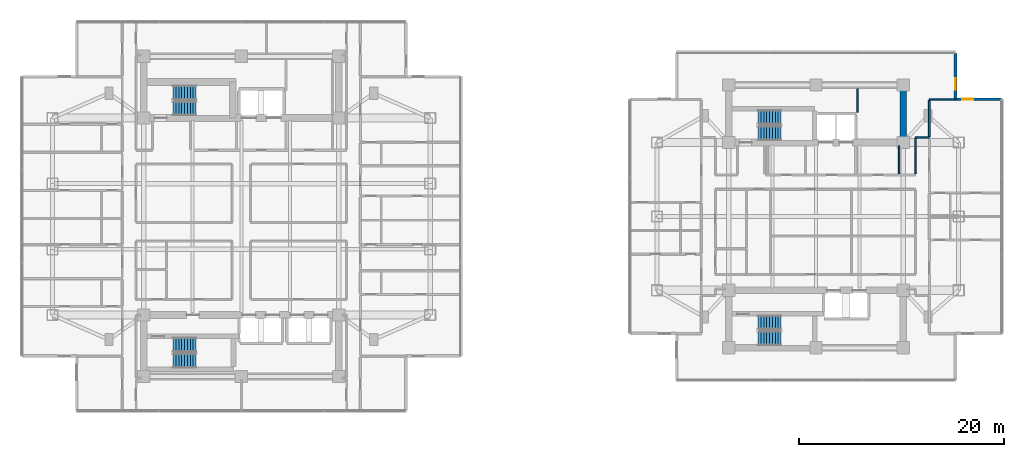
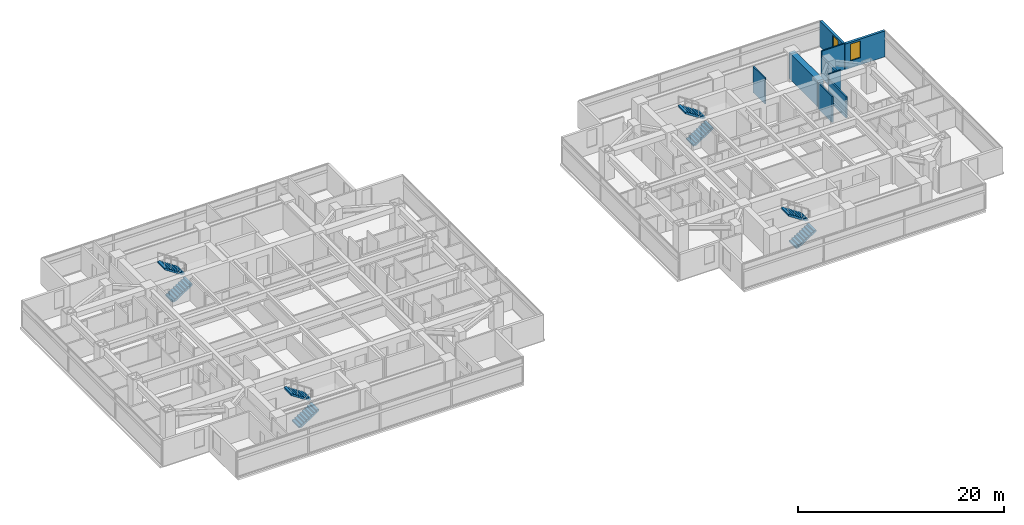
# One storey, part 18 of 24: 9 walls, 8 stair flights, 2 windows, 2 openings, 4 elements without a shape of their own.
"""IFC4 building model written with IfcOpenShell, lengths in metres."""

from ifc_helpers import new_model, si_unit, direction, frame, frame_2d, origin, place, context, subcontext, project, spatial, polyline, rectangle, outline, extrude, material, layer, layer_set, type_object, element, fill, aggregate, save


model = new_model("IFC4")

# Units and contexts
model_context = context("Model", 3, precision=1e-05, world=origin(), true_north=direction((0.0, 1.0)))
body_context = subcontext(model_context, "Body", "Model", "MODEL_VIEW")
ifc_project = project(units=[si_unit("LENGTHUNIT", "METRE"), si_unit("AREAUNIT", "SQUARE_METRE"), si_unit("VOLUMEUNIT", "CUBIC_METRE"), si_unit("PLANEANGLEUNIT", "RADIAN"), si_unit("MASSUNIT", "GRAM", prefix="KILO")], contexts=[model_context])

# Site, building, storey
site_placement = place(None, origin())
site = spatial("IfcSite", under=ifc_project, at=site_placement, CompositionType="ELEMENT")
building_placement = place(site_placement, origin())
building = spatial("IfcBuilding", under=site, at=building_placement, Name="Mirazonda Arch Towers", CompositionType="ELEMENT")
storey_placement = place(building_placement, frame((0.0, 0.0, 101.60009765625)))
storey = spatial("IfcBuildingStorey", under=building, at=storey_placement, Name="L28", CompositionType="ELEMENT", Elevation=101.60009765625)

# Wall
ifc_material_1 = material(Name="Concrete C60/75", Category="concrete")
ifc_layer_1 = layer(ifc_material_1, 0.64990234375, Name="WALL-CORE-650")
ifc_layer_set_1 = layer_set([ifc_layer_1], Name="Concrete C60/75")
wall_type_1 = type_object("IfcWallType", Name="WALL-CORE-650", PredefinedType="SHEAR", material=ifc_layer_set_1)
wall_1_placement = place(storey_placement, frame((85.0, 35.199951171875, 0.0), z_axis=(0.0, 0.0, 1.0), x_axis=(0.0, 1.0, 0.0)))
element("IfcWall", 1, at=wall_1_placement, inside=storey, type_object=wall_type_1, Name="L28 T2N-E Core Shear Wall", PredefinedType="SHEAR", context=body_context, shape_type="SweptSolid", body=[
    extrude(rectangle(XDim=5.60009765625, YDim=0.64990234375, at=frame_2d((2.800048828125, 0.0))), origin(), (0.0, 0.0, 1.0), 3.079833984375),
])

# Wall, opening, window
ifc_material_2 = material(Name="Precast Concrete C40/50", Category="concrete")
ifc_layer_2 = layer(ifc_material_2, 0.280029296875, Name="WALL-EXT-WALL-280")
ifc_layer_set_2 = layer_set([ifc_layer_2], Name="Precast Concrete C40/50")
wall_type_2 = type_object("IfcWallType", Name="WALL-EXT-WALL-280", PredefinedType="SOLIDWALL", material=ifc_layer_set_2)
wall_2_placement = place(storey_placement, frame((90.078125, 39.414306640625, 0.0), z_axis=(0.0, 0.0, 1.0), x_axis=(0.0, 1.0, 0.0)))
wall_2 = element("IfcWall", 2, at=wall_2_placement, inside=storey, type_object=wall_type_2, Name="L28 T2 Notched NE Corner Wall WL-L28-T2-CNE", PredefinedType="SOLIDWALL", context=body_context, shape_type="SweptSolid", body=[
    extrude(rectangle(XDim=4.516357421875, YDim=0.280029296875, at=frame_2d((2.25830078125, 0.0))), origin(), (0.0, 0.0, 1.0), 3.059814453125),
])
opening_1_placement = place(wall_2_placement, frame((0.949951171875, 0.0, 0.85009765625)))
opening_1 = element("IfcOpeningElement", 3, at=opening_1_placement, cuts=wall_2, Name="Opening WN-108", PredefinedType="OPENING", context=body_context, shape_type="SweptSolid", body=[
    extrude(rectangle(XDim=1.10009765625, YDim=2.0, at=frame_2d((0.550048828125, 1.0))), frame((0.0, 0.14990234375, 0.0), z_axis=(0.0, -1.0, 0.0), x_axis=(1.0, 0.0, 0.0)), (0.0, 0.0, 1.0), 0.300048828125),
])
ifc_material_3 = material(Name="Insulated Low-E Solar Glass", Category="glass")
window_type = type_object("IfcWindowType", Name="WIN-NOTCH-1100x2000", PartitioningType="SINGLE_PANEL", PredefinedType="WINDOW", material=ifc_material_3)
window_1_placement = place(opening_1_placement, origin())
window_1 = element("IfcWindow", 4, at=window_1_placement, inside=storey, type_object=window_type, Name="L28 Punched Facade Window WN-L28-T2-CNE", OverallHeight=2.0, OverallWidth=1.10009765625, PartitioningType="SINGLE_PANEL", PredefinedType="WINDOW", context=body_context, shape_type="SweptSolid", body=[
    extrude(rectangle(XDim=1.10009765625, YDim=2.0, at=frame_2d((0.550048828125, 1.0))), frame((0.0, 0.030029296875, 0.0), z_axis=(0.0, -1.0, 0.0), x_axis=(1.0, 0.0, 0.0)), (0.0, 0.0, 1.0), 0.06005859375),
])
fill(opening_1, window_1)

wall_3_placement = place(storey_placement, frame((94.594482421875, 39.414306640625, 0.0), z_axis=(0.0, 0.0, 1.0), x_axis=(-1.0, 0.0, 0.0)))
wall_3 = element("IfcWall", 5, at=wall_3_placement, inside=storey, type_object=wall_type_2, Name="L28 T2 Corner Notch Return Wall WL-L28-T2-CNE2", PredefinedType="SOLIDWALL", context=body_context, shape_type="SweptSolid", body=[
    extrude(rectangle(XDim=4.516357421875, YDim=0.280029296875, at=frame_2d((2.25830078125, 0.0))), origin(), (0.0, 0.0, 1.0), 3.059814453125),
])
opening_2_placement = place(wall_3_placement, frame((2.76611328125, 0.0, 0.85009765625)))
opening_2 = element("IfcOpeningElement", 6, at=opening_2_placement, cuts=wall_3, Name="Opening WN-108", PredefinedType="OPENING", context=body_context, shape_type="SweptSolid", body=[
    extrude(rectangle(XDim=1.10009765625, YDim=2.0, at=frame_2d((0.550048828125, 1.0))), frame((0.0, 0.14990234375, 0.0), z_axis=(0.0, -1.0, 0.0), x_axis=(1.0, 0.0, 0.0)), (0.0, 0.0, 1.0), 0.300048828125),
])
window_2_placement = place(opening_2_placement, origin())
window_2 = element("IfcWindow", 7, at=window_2_placement, inside=storey, type_object=window_type, Name="L28 Punched Facade Window WN-L28-T2-CNE2", OverallHeight=2.0, OverallWidth=1.10009765625, PartitioningType="SINGLE_PANEL", PredefinedType="WINDOW", context=body_context, shape_type="SweptSolid", body=[
    extrude(rectangle(XDim=1.10009765625, YDim=2.0, at=frame_2d((0.550048828125, 1.0))), frame((0.0, 0.030029296875, 0.0), z_axis=(0.0, -1.0, 0.0), x_axis=(1.0, 0.0, 0.0)), (0.0, 0.0, 1.0), 0.06005859375),
])
fill(opening_2, window_2)

# Walls
ifc_material_4 = material(Name="Fire-Rated Gypsum Stud Partition")
ifc_layer_3 = layer(ifc_material_4, 0.14990234375, Name="WALL-PART-CORR-150")
ifc_layer_set_3 = layer_set([ifc_layer_3], Name="Fire-Rated Gypsum Stud Partition")
wall_type_3 = type_object("IfcWallType", Name="WALL-PART-CORR-150", PredefinedType="PARTITIONING", material=ifc_layer_set_3)
wall_4_placement = place(storey_placement, frame((86.179931640625, 35.699951171875, 0.0), z_axis=(0.0, 0.0, 1.0), x_axis=(1.0, 0.0, 0.0)))
element("IfcWall", 8, at=wall_4_placement, inside=storey, type_object=wall_type_3, Name="L28 Interior Partition 056", PredefinedType="PARTITIONING", context=body_context, shape_type="SweptSolid", body=[
    extrude(rectangle(XDim=1.360107421875, YDim=0.14990234375, at=frame_2d((0.68017578125, 0.0))), origin(), (0.0, 0.0, 1.0), 3.079833984375),
])
wall_5_placement = place(storey_placement, frame((87.5400390625, 39.4140625, 0.0), z_axis=(0.0, 0.0, 1.0), x_axis=(1.0, 0.0, 0.0)))
element("IfcWall", 9, at=wall_5_placement, inside=storey, type_object=wall_type_3, Name="L28 Interior Partition 061", PredefinedType="PARTITIONING", context=body_context, shape_type="SweptSolid", body=[
    extrude(rectangle(XDim=2.51806640625, YDim=0.14990234375, at=frame_2d((1.259033203125, 0.0))), origin(), (0.0, 0.0, 1.0), 3.079833984375),
])
wall_6_placement = place(storey_placement, frame((80.52001953125, 38.135009765625, 0.0), z_axis=(0.0, 0.0, 1.0), x_axis=(0.0, 1.0, 0.0)))
element("IfcWall", 10, at=wall_6_placement, inside=storey, type_object=wall_type_3, Name="L28 Interior Partition 158", PredefinedType="PARTITIONING", context=body_context, shape_type="SweptSolid", body=[
    extrude(rectangle(XDim=2.31494140625, YDim=0.14990234375, at=frame_2d((1.157470703125, 0.0))), origin(), (0.0, 0.0, 1.0), 3.079833984375),
])
wall_7_placement = place(storey_placement, frame((84.60009765625, 32.169921875, 0.0), z_axis=(0.0, 0.0, 1.0), x_axis=(0.0, 1.0, 0.0)))
element("IfcWall", 11, at=wall_7_placement, inside=storey, type_object=wall_type_3, Name="L28 Interior Partition 160", PredefinedType="PARTITIONING", context=body_context, shape_type="SweptSolid", body=[
    extrude(rectangle(XDim=2.7099609375, YDim=0.14990234375, at=frame_2d((1.35498046875, 0.0))), origin(), (0.0, 0.0, 1.0), 3.079833984375),
])
wall_8_placement = place(storey_placement, frame((86.179931640625, 32.169921875, 0.0), z_axis=(0.0, 0.0, 1.0), x_axis=(0.0, 1.0, 0.0)))
element("IfcWall", 12, at=wall_8_placement, inside=storey, type_object=wall_type_3, Name="L28 Interior Partition 164", PredefinedType="PARTITIONING", context=body_context, shape_type="SweptSolid", body=[
    extrude(rectangle(XDim=3.445068359375, YDim=0.14990234375, at=frame_2d((1.72265625, 0.0))), origin(), (0.0, 0.0, 1.0), 2.471923828125),
])
ifc_material_5 = material(Name="Fire-Rated Gypsum Twin-Stud Assembly")
ifc_layer_4 = layer(ifc_material_5, 0.179931640625, Name="WALL-PART-DEMISE-180")
ifc_layer_set_4 = layer_set([ifc_layer_4], Name="Fire-Rated Gypsum Twin-Stud Assembly")
wall_type_4 = type_object("IfcWallType", Name="WALL-PART-DEMISE-180", PredefinedType="PARTITIONING", material=ifc_layer_set_4)
wall_9_placement = place(storey_placement, frame((87.5400390625, 35.784912109375, 0.0), z_axis=(0.0, 0.0, 1.0), x_axis=(0.0, 1.0, 0.0)))
element("IfcWall", 13, at=wall_9_placement, inside=storey, type_object=wall_type_4, Name="L28 Interior Partition 170", PredefinedType="PARTITIONING", context=body_context, shape_type="SweptSolid", body=[
    extrude(rectangle(XDim=3.544189453125, YDim=0.179931640625, at=frame_2d((1.77197265625, 0.0))), origin(), (0.0, 0.0, 1.0), 2.455810546875),
])

# Stair, stair flights
ifc_material_6 = material(Name="Concrete C40/50", Category="concrete")
stair_type = type_object("IfcStairType", Name="STAIR-CORE-1400", PredefinedType="HALF_TURN_STAIR", material=ifc_material_6)
stair_1_placement = place(storey_placement, origin())
stair_1 = element("IfcStair", 14, at=stair_1_placement, inside=storey, type_object=stair_type, Name="L28 Protected Exit Stair ST-T1N", PredefinedType="HALF_TURN_STAIR")
stair_flight_type = type_object("IfcStairFlightType", Name="FLIGHT-1400", PredefinedType="STRAIGHT", material=ifc_material_6)
stair_flight_1_placement = place(storey_placement, frame((13.85009765625, 38.52001953125, 0.0), z_axis=(0.0, 0.0, 1.0), x_axis=(1.0, 0.0, 0.0)))
stair_flight_1 = element("IfcStairFlight", 15, at=stair_flight_1_placement, type_object=stair_flight_type, Name="ST-T1N flight 1", NumberOfRisers=9, NumberOfTreads=8, PredefinedType="STRAIGHT", RiserHeight=0.183333333, TreadLength=0.28, context=body_context, shape_type="SweptSolid", body=[
    extrude(outline(polyline([(0.0, 0.0), (0.0, 0.183349609375), (0.280029296875, 0.183349609375), (0.280029296875, 0.36669921875), (0.56005859375, 0.36669921875), (0.56005859375, 0.550048828125), (0.840087890625, 0.550048828125), (0.840087890625, 0.7333984375), (1.1201171875, 0.7333984375), (1.1201171875, 0.916748046875), (1.39990234375, 0.916748046875), (1.39990234375, 1.10009765625), (1.679931640625, 1.10009765625), (1.679931640625, 1.283447265625), (1.9599609375, 1.283447265625), (1.9599609375, 1.466552734375), (2.239990234375, 1.466552734375), (2.239990234375, 1.64990234375), (2.239990234375, 1.275634765625), (0.2919921875, 0.0), (0.0, 0.0)])), frame((0.0, 0.699951171875, 0.0), z_axis=(0.0, -1.0, 0.0), x_axis=(1.0, 0.0, 0.0)), (0.0, 0.0, 1.0), 1.39990234375),
])
stair_flight_2_placement = place(storey_placement, frame((16.090087890625, 40.06005859375, 1.64990234375), z_axis=(0.0, 0.0, 1.0), x_axis=(-1.0, 0.0, 0.0)))
stair_flight_2 = element("IfcStairFlight", 16, at=stair_flight_2_placement, type_object=stair_flight_type, Name="ST-T1N flight 2", NumberOfRisers=9, NumberOfTreads=8, PredefinedType="STRAIGHT", RiserHeight=0.183333333, TreadLength=0.28, context=body_context, shape_type="SweptSolid", body=[
    extrude(outline(polyline([(0.0, 0.0), (0.0, 0.183349609375), (0.280029296875, 0.183349609375), (0.280029296875, 0.36669921875), (0.56005859375, 0.36669921875), (0.56005859375, 0.550048828125), (0.840087890625, 0.550048828125), (0.840087890625, 0.7333984375), (1.1201171875, 0.7333984375), (1.1201171875, 0.916748046875), (1.39990234375, 0.916748046875), (1.39990234375, 1.10009765625), (1.679931640625, 1.10009765625), (1.679931640625, 1.283447265625), (1.9599609375, 1.283447265625), (1.9599609375, 1.466552734375), (2.239990234375, 1.466552734375), (2.239990234375, 1.64990234375), (2.239990234375, 1.275634765625), (0.2919921875, 0.0), (0.0, 0.0)])), frame((0.0, 0.699951171875, 0.0), z_axis=(0.0, -1.0, 0.0), x_axis=(1.0, 0.0, 0.0)), (0.0, 0.0, 1.0), 1.39990234375),
])
aggregate(stair_1, [stair_flight_1, stair_flight_2])

stair_2_placement = place(storey_placement, origin())
stair_2 = element("IfcStair", 17, at=stair_2_placement, inside=storey, type_object=stair_type, Name="L28 Protected Exit Stair ST-T1S", PredefinedType="HALF_TURN_STAIR")
stair_flight_3_placement = place(storey_placement, frame((13.85009765625, 13.949951171875, 0.0), z_axis=(0.0, 0.0, 1.0), x_axis=(1.0, 0.0, 0.0)))
stair_flight_3 = element("IfcStairFlight", 18, at=stair_flight_3_placement, type_object=stair_flight_type, Name="ST-T1S flight 1", NumberOfRisers=9, NumberOfTreads=8, PredefinedType="STRAIGHT", RiserHeight=0.183333333, TreadLength=0.28, context=body_context, shape_type="SweptSolid", body=[
    extrude(outline(polyline([(0.0, 0.0), (0.0, 0.183349609375), (0.280029296875, 0.183349609375), (0.280029296875, 0.36669921875), (0.56005859375, 0.36669921875), (0.56005859375, 0.550048828125), (0.840087890625, 0.550048828125), (0.840087890625, 0.7333984375), (1.1201171875, 0.7333984375), (1.1201171875, 0.916748046875), (1.39990234375, 0.916748046875), (1.39990234375, 1.10009765625), (1.679931640625, 1.10009765625), (1.679931640625, 1.283447265625), (1.9599609375, 1.283447265625), (1.9599609375, 1.466552734375), (2.239990234375, 1.466552734375), (2.239990234375, 1.64990234375), (2.239990234375, 1.275634765625), (0.2919921875, 0.0), (0.0, 0.0)])), frame((0.0, 0.699951171875, 0.0), z_axis=(0.0, -1.0, 0.0), x_axis=(1.0, 0.0, 0.0)), (0.0, 0.0, 1.0), 1.39990234375),
])
stair_flight_4_placement = place(storey_placement, frame((16.090087890625, 15.489990234375, 1.64990234375), z_axis=(0.0, 0.0, 1.0), x_axis=(-1.0, 0.0, 0.0)))
stair_flight_4 = element("IfcStairFlight", 19, at=stair_flight_4_placement, type_object=stair_flight_type, Name="ST-T1S flight 2", NumberOfRisers=9, NumberOfTreads=8, PredefinedType="STRAIGHT", RiserHeight=0.183333333, TreadLength=0.28, context=body_context, shape_type="SweptSolid", body=[
    extrude(outline(polyline([(0.0, 0.0), (0.0, 0.183349609375), (0.280029296875, 0.183349609375), (0.280029296875, 0.36669921875), (0.56005859375, 0.36669921875), (0.56005859375, 0.550048828125), (0.840087890625, 0.550048828125), (0.840087890625, 0.7333984375), (1.1201171875, 0.7333984375), (1.1201171875, 0.916748046875), (1.39990234375, 0.916748046875), (1.39990234375, 1.10009765625), (1.679931640625, 1.10009765625), (1.679931640625, 1.283447265625), (1.9599609375, 1.283447265625), (1.9599609375, 1.466552734375), (2.239990234375, 1.466552734375), (2.239990234375, 1.64990234375), (2.239990234375, 1.275634765625), (0.2919921875, 0.0), (0.0, 0.0)])), frame((0.0, 0.699951171875, 0.0), z_axis=(0.0, -1.0, 0.0), x_axis=(1.0, 0.0, 0.0)), (0.0, 0.0, 1.0), 1.39990234375),
])
aggregate(stair_2, [stair_flight_3, stair_flight_4])

stair_3_placement = place(storey_placement, origin())
stair_3 = element("IfcStair", 20, at=stair_3_placement, inside=storey, type_object=stair_type, Name="L28 Protected Exit Stair ST-T2N", PredefinedType="HALF_TURN_STAIR")
stair_flight_5_placement = place(storey_placement, frame((70.85009765625, 36.1201171875, 0.0), z_axis=(0.0, 0.0, 1.0), x_axis=(1.0, 0.0, 0.0)))
stair_flight_5 = element("IfcStairFlight", 21, at=stair_flight_5_placement, type_object=stair_flight_type, Name="ST-T2N flight 1", NumberOfRisers=9, NumberOfTreads=8, PredefinedType="STRAIGHT", RiserHeight=0.183333333, TreadLength=0.28, context=body_context, shape_type="SweptSolid", body=[
    extrude(outline(polyline([(0.0, 0.0), (0.0, 0.183349609375), (0.280029296875, 0.183349609375), (0.280029296875, 0.36669921875), (0.56005859375, 0.36669921875), (0.56005859375, 0.550048828125), (0.840087890625, 0.550048828125), (0.840087890625, 0.7333984375), (1.1201171875, 0.7333984375), (1.1201171875, 0.916748046875), (1.39990234375, 0.916748046875), (1.39990234375, 1.10009765625), (1.679931640625, 1.10009765625), (1.679931640625, 1.283447265625), (1.9599609375, 1.283447265625), (1.9599609375, 1.466552734375), (2.239990234375, 1.466552734375), (2.239990234375, 1.64990234375), (2.239990234375, 1.275634765625), (0.2919921875, 0.0), (0.0, 0.0)])), frame((0.0, 0.699951171875, 0.0), z_axis=(0.0, -1.0, 0.0), x_axis=(1.0, 0.0, 0.0)), (0.0, 0.0, 1.0), 1.39990234375),
])
stair_flight_6_placement = place(storey_placement, frame((73.090087890625, 37.659912109375, 1.64990234375), z_axis=(0.0, 0.0, 1.0), x_axis=(-1.0, 0.0, 0.0)))
stair_flight_6 = element("IfcStairFlight", 22, at=stair_flight_6_placement, type_object=stair_flight_type, Name="ST-T2N flight 2", NumberOfRisers=9, NumberOfTreads=8, PredefinedType="STRAIGHT", RiserHeight=0.183333333, TreadLength=0.28, context=body_context, shape_type="SweptSolid", body=[
    extrude(outline(polyline([(0.0, 0.0), (0.0, 0.183349609375), (0.280029296875, 0.183349609375), (0.280029296875, 0.36669921875), (0.56005859375, 0.36669921875), (0.56005859375, 0.550048828125), (0.840087890625, 0.550048828125), (0.840087890625, 0.7333984375), (1.1201171875, 0.7333984375), (1.1201171875, 0.916748046875), (1.39990234375, 0.916748046875), (1.39990234375, 1.10009765625), (1.679931640625, 1.10009765625), (1.679931640625, 1.283447265625), (1.9599609375, 1.283447265625), (1.9599609375, 1.466552734375), (2.239990234375, 1.466552734375), (2.239990234375, 1.64990234375), (2.239990234375, 1.275634765625), (0.2919921875, 0.0), (0.0, 0.0)])), frame((0.0, 0.699951171875, 0.0), z_axis=(0.0, -1.0, 0.0), x_axis=(1.0, 0.0, 0.0)), (0.0, 0.0, 1.0), 1.39990234375),
])
aggregate(stair_3, [stair_flight_5, stair_flight_6])

stair_4_placement = place(storey_placement, origin())
stair_4 = element("IfcStair", 23, at=stair_4_placement, inside=storey, type_object=stair_type, Name="L28 Protected Exit Stair ST-T2S", PredefinedType="HALF_TURN_STAIR")
stair_flight_7_placement = place(storey_placement, frame((70.85009765625, 16.1201171875, 0.0), z_axis=(0.0, 0.0, 1.0), x_axis=(1.0, 0.0, 0.0)))
stair_flight_7 = element("IfcStairFlight", 24, at=stair_flight_7_placement, type_object=stair_flight_type, Name="ST-T2S flight 1", NumberOfRisers=9, NumberOfTreads=8, PredefinedType="STRAIGHT", RiserHeight=0.183333333, TreadLength=0.28, context=body_context, shape_type="SweptSolid", body=[
    extrude(outline(polyline([(0.0, 0.0), (0.0, 0.183349609375), (0.280029296875, 0.183349609375), (0.280029296875, 0.36669921875), (0.56005859375, 0.36669921875), (0.56005859375, 0.550048828125), (0.840087890625, 0.550048828125), (0.840087890625, 0.7333984375), (1.1201171875, 0.7333984375), (1.1201171875, 0.916748046875), (1.39990234375, 0.916748046875), (1.39990234375, 1.10009765625), (1.679931640625, 1.10009765625), (1.679931640625, 1.283447265625), (1.9599609375, 1.283447265625), (1.9599609375, 1.466552734375), (2.239990234375, 1.466552734375), (2.239990234375, 1.64990234375), (2.239990234375, 1.275634765625), (0.2919921875, 0.0), (0.0, 0.0)])), frame((0.0, 0.699951171875, 0.0), z_axis=(0.0, -1.0, 0.0), x_axis=(1.0, 0.0, 0.0)), (0.0, 0.0, 1.0), 1.39990234375),
])
stair_flight_8_placement = place(storey_placement, frame((73.090087890625, 17.659912109375, 1.64990234375), z_axis=(0.0, 0.0, 1.0), x_axis=(-1.0, 0.0, 0.0)))
stair_flight_8 = element("IfcStairFlight", 25, at=stair_flight_8_placement, type_object=stair_flight_type, Name="ST-T2S flight 2", NumberOfRisers=9, NumberOfTreads=8, PredefinedType="STRAIGHT", RiserHeight=0.183333333, TreadLength=0.28, context=body_context, shape_type="SweptSolid", body=[
    extrude(outline(polyline([(0.0, 0.0), (0.0, 0.183349609375), (0.280029296875, 0.183349609375), (0.280029296875, 0.36669921875), (0.56005859375, 0.36669921875), (0.56005859375, 0.550048828125), (0.840087890625, 0.550048828125), (0.840087890625, 0.7333984375), (1.1201171875, 0.7333984375), (1.1201171875, 0.916748046875), (1.39990234375, 0.916748046875), (1.39990234375, 1.10009765625), (1.679931640625, 1.10009765625), (1.679931640625, 1.283447265625), (1.9599609375, 1.283447265625), (1.9599609375, 1.466552734375), (2.239990234375, 1.466552734375), (2.239990234375, 1.64990234375), (2.239990234375, 1.275634765625), (0.2919921875, 0.0), (0.0, 0.0)])), frame((0.0, 0.699951171875, 0.0), z_axis=(0.0, -1.0, 0.0), x_axis=(1.0, 0.0, 0.0)), (0.0, 0.0, 1.0), 1.39990234375),
])
aggregate(stair_4, [stair_flight_7, stair_flight_8])

save(model, "model.ifc")
